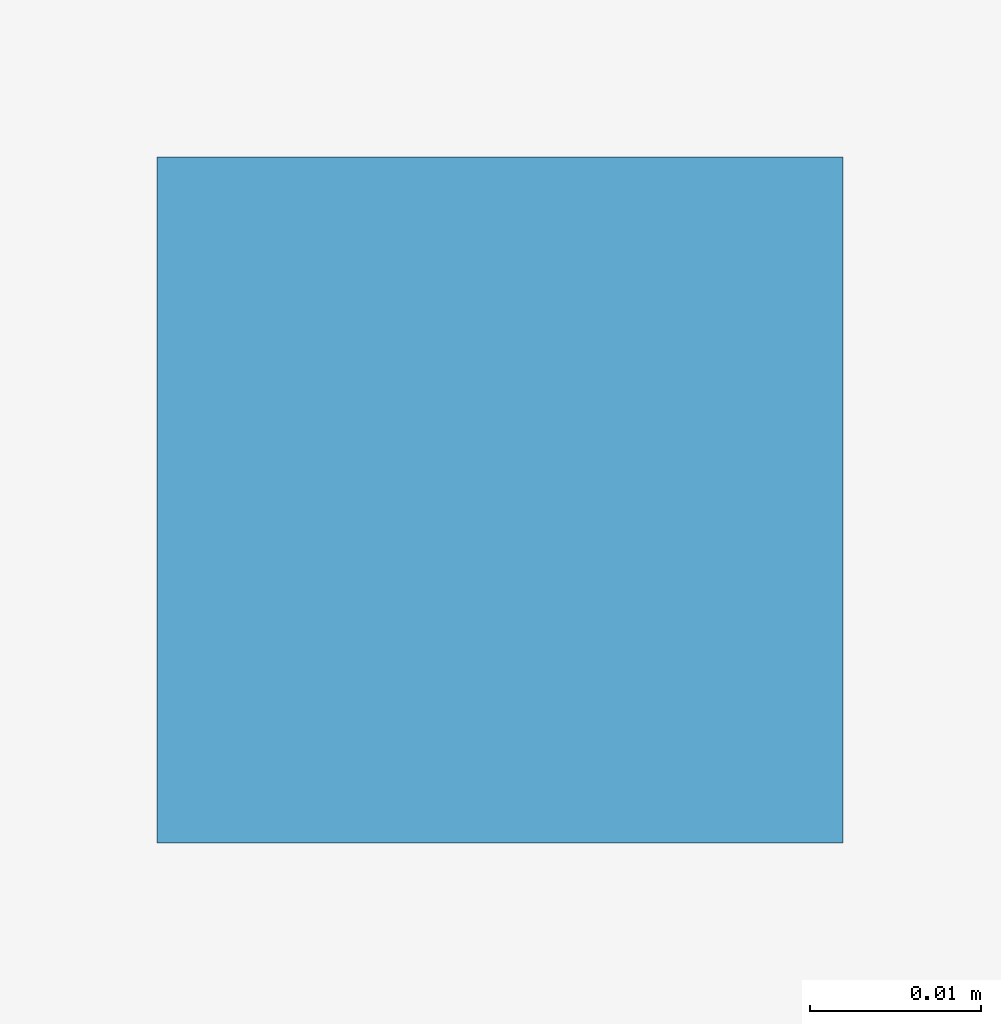
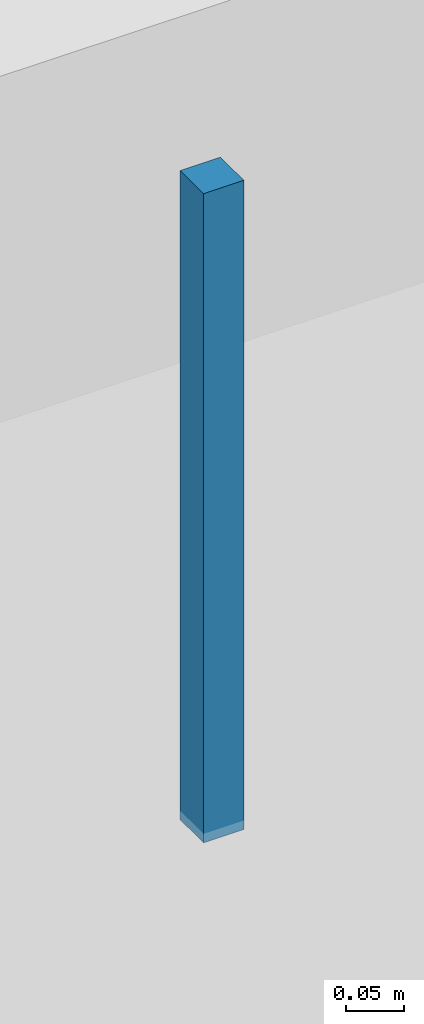
# One storey, part 34 of 43: 1 discrete accessory.
"""IFC4 building model written with IfcOpenShell, lengths in metres."""

from ifc_helpers import new_model, si_unit, direction, frame, origin, origin_2d, place, context, subcontext, project, spatial, rectangle, extrude, material, type_object, element, save


model = new_model("IFC4")

# Units and contexts
model_context = context("Model", 3, precision=1e-05, world=origin(), true_north=direction((0.0, 1.0)))
body_context = subcontext(model_context, "Body", "Model", "MODEL_VIEW")
ifc_project = project(units=[si_unit("LENGTHUNIT", "METRE"), si_unit("AREAUNIT", "SQUARE_METRE"), si_unit("VOLUMEUNIT", "CUBIC_METRE"), si_unit("PLANEANGLEUNIT", "RADIAN"), si_unit("MASSUNIT", "GRAM", prefix="KILO")], contexts=[model_context])

# Site, building, storey
site_placement = place(None, origin())
site = spatial("IfcSite", under=ifc_project, at=site_placement, CompositionType="ELEMENT")
building_placement = place(site_placement, origin())
building = spatial("IfcBuilding", under=site, at=building_placement, Name="Alvorim Cloister Faculty of Sciences", CompositionType="ELEMENT")
storey_placement = place(building_placement, origin())
storey = spatial("IfcBuildingStorey", under=building, at=storey_placement, Name="L00", CompositionType="ELEMENT", Elevation=0.0)

# Discrete accessory
ifc_material = material(Name="Galvanised Painted Steel", Category="steel")
discrete_accessory_type = type_object("IfcDiscreteAccessoryType", Name="ACC-CEIL-ROD", PredefinedType="BRACKET", material=ifc_material)
discrete_accessory_placement = place(storey_placement, frame((49.14990234375, 5.550048828125, 3.590087890625), z_axis=(0.0, 0.0, 1.0), x_axis=(1.0, 0.0, 0.0)))
element("IfcDiscreteAccessory", 1, at=discrete_accessory_placement, inside=storey, type_object=discrete_accessory_type, Name="Ceiling Suspension Bracket ACC-ROD-004", PredefinedType="BRACKET", context=body_context, shape_type="SweptSolid", body=[
    extrude(rectangle(XDim=0.0400390625, YDim=0.0400390625, at=origin_2d()), origin(), (0.0, 0.0, 1.0), 0.679931640625),
])

save(model, "model.ifc")
